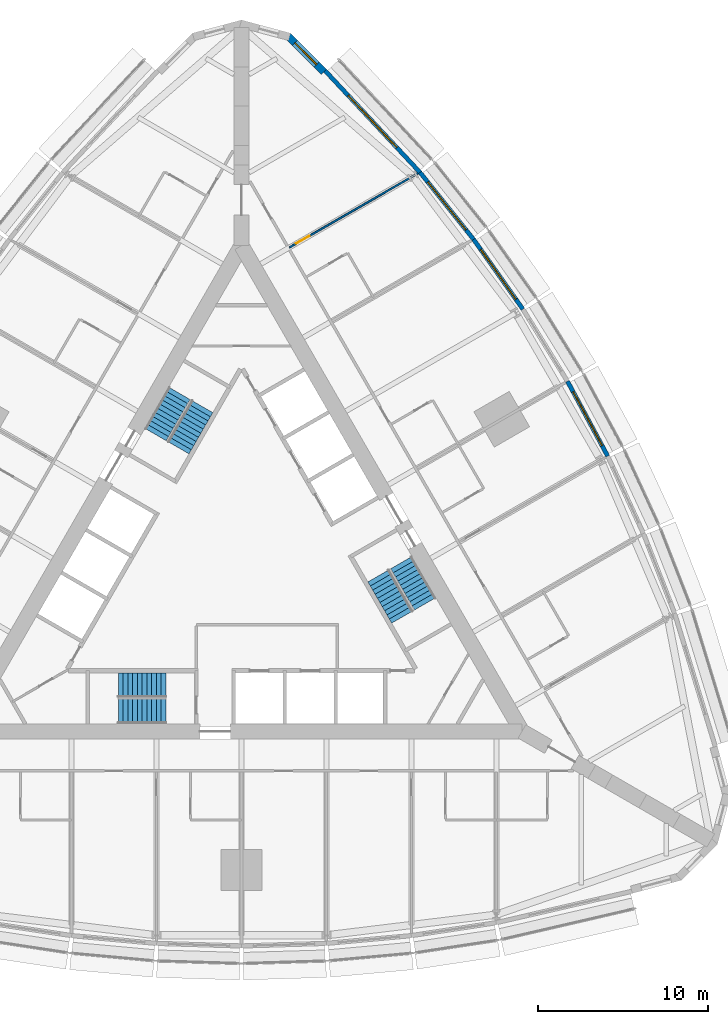
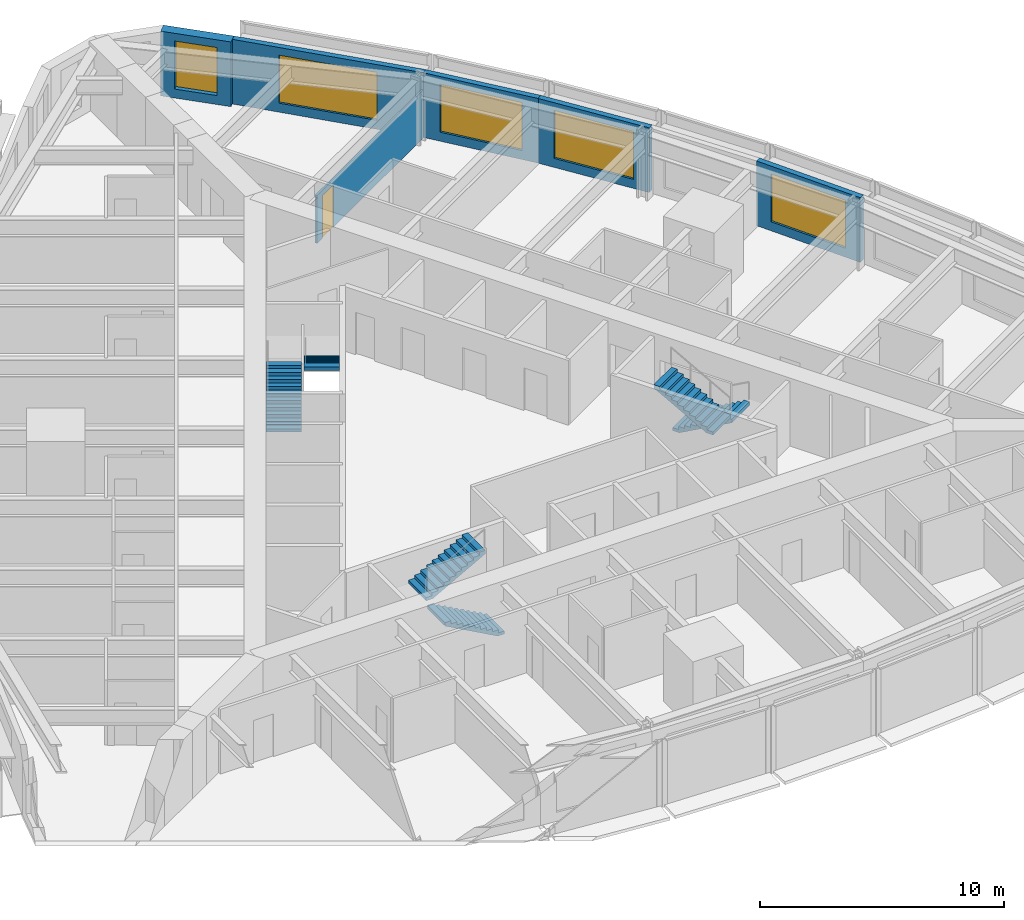
# One storey, part 13 of 14: 6 stair flights, 6 walls, 5 windows, 1 door, 6 openings, 3 elements without a shape of their own.
"""IFC4 building model written with IfcOpenShell, lengths in metres."""

from ifc_helpers import new_model, si_unit, direction, frame, frame_2d, origin, place, context, subcontext, project, spatial, polyline, rectangle, outline, extrude, material, layer, layer_set, type_object, element, fill, aggregate, save


model = new_model("IFC4")

# Units and contexts
model_context = context("Model", 3, precision=1e-05, world=origin(), true_north=direction((0.0, 1.0)))
body_context = subcontext(model_context, "Body", "Model", "MODEL_VIEW")
ifc_project = project(units=[si_unit("LENGTHUNIT", "METRE"), si_unit("AREAUNIT", "SQUARE_METRE"), si_unit("VOLUMEUNIT", "CUBIC_METRE"), si_unit("PLANEANGLEUNIT", "RADIAN"), si_unit("MASSUNIT", "GRAM", prefix="KILO")], contexts=[model_context])

# Site, building, storey
site_placement = place(None, origin())
site = spatial("IfcSite", under=ifc_project, at=site_placement, CompositionType="ELEMENT")
building_placement = place(site_placement, origin())
building = spatial("IfcBuilding", under=site, at=building_placement, Name="Trikona Tower", CompositionType="ELEMENT")
storey_placement = place(building_placement, frame((0.0, 0.0, 96.5)))
storey = spatial("IfcBuildingStorey", under=building, at=storey_placement, Name="L25", CompositionType="ELEMENT", Elevation=96.5)

# Wall, opening, window
ifc_material_1 = material(Name="Brick-faced precast concrete", Category="masonry")
ifc_layer_1 = layer(ifc_material_1, 0.449951171875)
ifc_layer_set_1 = layer_set([ifc_layer_1], Name="Brick-faced corner wall 450")
wall_type_1 = type_object("IfcWallType", Name="Brick-faced corner wall 450", PredefinedType="SOLIDWALL", material=ifc_layer_set_1)
wall_1_placement = place(storey_placement, frame((4.8408203125, 29.285888671875, 0.0), z_axis=(0.0, 0.0, 1.0), x_axis=(-0.707106781187, 0.707106781187, 0.0)))
wall_1 = element("IfcWall", 1, at=wall_1_placement, inside=storey, type_object=wall_type_1, Name="External wall L25-20", PredefinedType="SOLIDWALL", context=body_context, shape_type="SweptSolid", body=[
    extrude(rectangle(XDim=2.98828125, YDim=0.449951171875, at=frame_2d((1.494140625, 0.0))), origin(), (0.0, 0.0, 1.0), 3.235107421875),
])
opening_1_placement = place(wall_1_placement, frame((0.59423828125, 0.0, 0.449951171875)))
opening_1 = element("IfcOpeningElement", 2, at=opening_1_placement, cuts=wall_1, Name="Opening W1824", PredefinedType="OPENING", context=body_context, shape_type="SweptSolid", body=[
    extrude(rectangle(XDim=1.800048828125, YDim=2.39990234375, at=frame_2d((0.89990234375, 1.199951171875))), frame((0.0, 0.23486328125, 0.0), z_axis=(0.0, -1.0, 0.0), x_axis=(1.0, 0.0, 0.0)), (0.0, 0.0, 1.0), 0.469970703125),
])
ifc_material_2 = material(Name="Aluminium-framed double glazing", Category="aluminium")
window_type_1 = type_object("IfcWindowType", Name="Window 1800x2400", PartitioningType="SINGLE_PANEL", PredefinedType="WINDOW", material=ifc_material_2)
window_1_placement = place(opening_1_placement, origin())
window_1 = element("IfcWindow", 3, at=window_1_placement, inside=storey, type_object=window_type_1, Name="Window 2508", OverallHeight=2.39990234375, OverallWidth=1.800048828125, PartitioningType="SINGLE_PANEL", PredefinedType="WINDOW", context=body_context, shape_type="SweptSolid", body=[
    extrude(rectangle(XDim=1.800048828125, YDim=2.39990234375, at=frame_2d((0.89990234375, 1.199951171875))), frame((0.0, 0.030029296875, 0.0), z_axis=(0.0, -1.0, 0.0), x_axis=(1.0, 0.0, 0.0)), (0.0, 0.0, 1.0), 0.06005859375),
])
fill(opening_1, window_1)

ifc_material_3 = material(Name="Insulated precast concrete spandrel panel", Category="concrete")
ifc_layer_2 = layer(ifc_material_3, 0.25)
ifc_layer_set_2 = layer_set([ifc_layer_2], Name="Inner skin wall 250")
wall_type_2 = type_object("IfcWallType", Name="Inner skin wall 250", PredefinedType="STANDARD", material=ifc_layer_set_2)
wall_2_placement = place(storey_placement, frame((21.546630859375, 6.6708984375, 0.0), z_axis=(0.0, 0.0, 1.0), x_axis=(-0.473412820489, 0.880840678782, 0.0)))
wall_2 = element("IfcWall", 4, at=wall_2_placement, inside=storey, type_object=wall_type_2, Name="External wall L25-15", PredefinedType="STANDARD", context=body_context, shape_type="SweptSolid", body=[
    extrude(rectangle(XDim=5.00244140625, YDim=0.25, at=frame_2d((2.501220703125, 0.0))), origin(), (0.0, 0.0, 1.0), 3.235107421875),
])
opening_2_placement = place(wall_2_placement, frame((0.701171875, 0.0, 0.449951171875)))
opening_2 = element("IfcOpeningElement", 5, at=opening_2_placement, cuts=wall_2, Name="Opening W3624", PredefinedType="OPENING", context=body_context, shape_type="SweptSolid", body=[
    extrude(rectangle(XDim=3.60009765625, YDim=2.39990234375, at=frame_2d((1.800048828125, 1.199951171875))), frame((0.0, 0.135009765625, 0.0), z_axis=(0.0, -1.0, 0.0), x_axis=(1.0, 0.0, 0.0)), (0.0, 0.0, 1.0), 0.27001953125),
])
ifc_material_4 = material(Name="Aluminium-framed double glazing", Category="aluminium")
window_type_2 = type_object("IfcWindowType", Name="Window 3600x2400", PartitioningType="SINGLE_PANEL", PredefinedType="WINDOW", material=ifc_material_4)
window_2_placement = place(opening_2_placement, origin())
window_2 = element("IfcWindow", 6, at=window_2_placement, inside=storey, type_object=window_type_2, Name="Window 2506.1", OverallHeight=2.39990234375, OverallWidth=3.60009765625, PartitioningType="SINGLE_PANEL", PredefinedType="WINDOW", context=body_context, shape_type="SweptSolid", body=[
    extrude(rectangle(XDim=3.60009765625, YDim=2.39990234375, at=frame_2d((1.800048828125, 1.199951171875))), frame((0.0, 0.030029296875, 0.0), z_axis=(0.0, -1.0, 0.0), x_axis=(1.0, 0.0, 0.0)), (0.0, 0.0, 1.0), 0.06005859375),
])
fill(opening_2, window_2)

wall_3_placement = place(storey_placement, frame((16.5546875, 15.318115234375, 0.0), z_axis=(0.0, 0.0, 1.0), x_axis=(-0.5766431066, 0.81699616132, 0.0)))
wall_3 = element("IfcWall", 7, at=wall_3_placement, inside=storey, type_object=wall_type_2, Name="External wall L25-17", PredefinedType="STANDARD", context=body_context, shape_type="SweptSolid", body=[
    extrude(rectangle(XDim=5.02099609375, YDim=0.25, at=frame_2d((2.510498046875, 0.0))), origin(), (0.0, 0.0, 1.0), 3.235107421875),
])
opening_3_placement = place(wall_3_placement, frame((0.71044921875, 0.0, 0.449951171875)))
opening_3 = element("IfcOpeningElement", 8, at=opening_3_placement, cuts=wall_3, Name="Opening W3624", PredefinedType="OPENING", context=body_context, shape_type="SweptSolid", body=[
    extrude(rectangle(XDim=3.60009765625, YDim=2.39990234375, at=frame_2d((1.800048828125, 1.199951171875))), frame((0.0, 0.135009765625, 0.0), z_axis=(0.0, -1.0, 0.0), x_axis=(1.0, 0.0, 0.0)), (0.0, 0.0, 1.0), 0.27001953125),
])
window_3_placement = place(opening_3_placement, origin())
window_3 = element("IfcWindow", 9, at=window_3_placement, inside=storey, type_object=window_type_2, Name="Window 2507", OverallHeight=2.39990234375, OverallWidth=3.60009765625, PartitioningType="SINGLE_PANEL", PredefinedType="WINDOW", context=body_context, shape_type="SweptSolid", body=[
    extrude(rectangle(XDim=3.60009765625, YDim=2.39990234375, at=frame_2d((1.800048828125, 1.199951171875))), frame((0.0, 0.030029296875, 0.0), z_axis=(0.0, -1.0, 0.0), x_axis=(1.0, 0.0, 0.0)), (0.0, 0.0, 1.0), 0.06005859375),
])
fill(opening_3, window_3)

wall_4_placement = place(storey_placement, frame((13.663818359375, 19.4140625, 0.0), z_axis=(0.0, 0.0, 1.0), x_axis=(-0.624594965756, 0.780948864364, 0.0)))
wall_4 = element("IfcWall", 10, at=wall_4_placement, inside=storey, type_object=wall_type_2, Name="External wall L25-18", PredefinedType="STANDARD", context=body_context, shape_type="SweptSolid", body=[
    extrude(rectangle(XDim=5.0576171875, YDim=0.25, at=frame_2d((2.52880859375, 0.0))), origin(), (0.0, 0.0, 1.0), 3.235107421875),
])
opening_4_placement = place(wall_4_placement, frame((0.728759765625, 0.0, 0.449951171875)))
opening_4 = element("IfcOpeningElement", 11, at=opening_4_placement, cuts=wall_4, Name="Opening W3624", PredefinedType="OPENING", context=body_context, shape_type="SweptSolid", body=[
    extrude(rectangle(XDim=3.60009765625, YDim=2.39990234375, at=frame_2d((1.800048828125, 1.199951171875))), frame((0.0, 0.135009765625, 0.0), z_axis=(0.0, -1.0, 0.0), x_axis=(1.0, 0.0, 0.0)), (0.0, 0.0, 1.0), 0.27001953125),
])
window_4_placement = place(opening_4_placement, origin())
window_4 = element("IfcWindow", 12, at=window_4_placement, inside=storey, type_object=window_type_2, Name="Window 2508.1", OverallHeight=2.39990234375, OverallWidth=3.60009765625, PartitioningType="SINGLE_PANEL", PredefinedType="WINDOW", context=body_context, shape_type="SweptSolid", body=[
    extrude(rectangle(XDim=3.60009765625, YDim=2.39990234375, at=frame_2d((1.800048828125, 1.199951171875))), frame((0.0, 0.030029296875, 0.0), z_axis=(0.0, -1.0, 0.0), x_axis=(1.0, 0.0, 0.0)), (0.0, 0.0, 1.0), 0.06005859375),
])
fill(opening_4, window_4)

wall_5_placement = place(storey_placement, frame((10.510986328125, 23.356689453125, 0.0), z_axis=(0.0, 0.0, 1.0), x_axis=(-0.682289646561, 0.731081964075, 0.0)))
wall_5 = element("IfcWall", 13, at=wall_5_placement, inside=storey, type_object=wall_type_2, Name="External wall L25-19", PredefinedType="STANDARD", context=body_context, shape_type="SweptSolid", body=[
    extrude(rectangle(XDim=8.2109375, YDim=0.25, at=frame_2d((4.10546875, 0.0))), origin(), (0.0, 0.0, 1.0), 3.235107421875),
])
opening_5_placement = place(wall_5_placement, frame((2.005615234375, 0.0, 0.449951171875)))
opening_5 = element("IfcOpeningElement", 14, at=opening_5_placement, cuts=wall_5, Name="Opening W4224", PredefinedType="OPENING", context=body_context, shape_type="SweptSolid", body=[
    extrude(rectangle(XDim=4.199951171875, YDim=2.39990234375, at=frame_2d((2.10009765625, 1.199951171875))), frame((0.0, 0.135009765625, 0.0), z_axis=(0.0, -1.0, 0.0), x_axis=(1.0, 0.0, 0.0)), (0.0, 0.0, 1.0), 0.27001953125),
])
ifc_material_5 = material(Name="Aluminium-framed double glazing", Category="aluminium")
window_type_3 = type_object("IfcWindowType", Name="Window 4200x2400", PartitioningType="SINGLE_PANEL", PredefinedType="WINDOW", material=ifc_material_5)
window_5_placement = place(opening_5_placement, origin())
window_5 = element("IfcWindow", 15, at=window_5_placement, inside=storey, type_object=window_type_3, Name="Window 2508", OverallHeight=2.39990234375, OverallWidth=4.199951171875, PartitioningType="SINGLE_PANEL", PredefinedType="WINDOW", context=body_context, shape_type="SweptSolid", body=[
    extrude(rectangle(XDim=4.199951171875, YDim=2.39990234375, at=frame_2d((2.10009765625, 1.199951171875))), frame((0.0, 0.030029296875, 0.0), z_axis=(0.0, -1.0, 0.0), x_axis=(1.0, 0.0, 0.0)), (0.0, 0.0, 1.0), 0.06005859375),
])
fill(opening_5, window_5)

# Wall, opening, door
ifc_material_6 = material(Name="Metal stud and gypsum board, acoustic", Category="gypsum")
ifc_layer_3 = layer(ifc_material_6, 0.10009765625)
ifc_layer_set_3 = layer_set([ifc_layer_3], Name="Suite partition 100")
wall_type_3 = type_object("IfcWallType", Name="Suite partition 100", PredefinedType="PARTITIONING", material=ifc_layer_set_3)
wall_6_placement = place(storey_placement, frame((2.82861328125, 18.95361328125, 0.0), z_axis=(0.0, 0.0, 1.0), x_axis=(0.866020536561, 0.500008430184, 0.0)))
wall_6 = element("IfcWall", 16, at=wall_6_placement, inside=storey, type_object=wall_type_3, Name="Suite partition L25 F2 u15", PredefinedType="PARTITIONING", context=body_context, shape_type="SweptSolid", body=[
    extrude(rectangle(XDim=8.719970703125, YDim=0.10009765625, at=frame_2d((4.35986328125, 0.0))), origin(), (0.0, 0.0, 1.0), 2.38916015625),
])
opening_6_placement = place(wall_6_placement, frame((0.449951171875, 0.0, 0.0)))
opening_6 = element("IfcOpeningElement", 17, at=opening_6_placement, cuts=wall_6, Name="Opening D13", PredefinedType="OPENING", context=body_context, shape_type="SweptSolid", body=[
    extrude(rectangle(XDim=0.89990234375, YDim=2.1298828125, at=frame_2d((0.449951171875, 1.06494140625))), frame((0.0, 0.06005859375, 0.0), z_axis=(0.0, -1.0, 0.0), x_axis=(1.0, 0.0, 0.0)), (0.0, 0.0, 1.0), 0.1201171875),
])
ifc_material_7 = material(Name="Steel door frame with solid-core timber leaf", Category="steel")
door_type = type_object("IfcDoorType", Name="Suite door 900x2130", OperationType="SINGLE_SWING_LEFT", PredefinedType="DOOR", material=ifc_material_7)
door_placement = place(opening_6_placement, origin())
door = element("IfcDoor", 18, at=door_placement, inside=storey, type_object=door_type, Name="Suite door 2508", OperationType="SINGLE_SWING_LEFT", OverallHeight=2.1298828125, OverallWidth=0.89990234375, PredefinedType="DOOR", context=body_context, shape_type="SweptSolid", body=[
    extrude(rectangle(XDim=0.89990234375, YDim=2.1298828125, at=frame_2d((0.449951171875, 1.06494140625))), frame((0.0, 0.02490234375, 0.0), z_axis=(0.0, -1.0, 0.0), x_axis=(1.0, 0.0, 0.0)), (0.0, 0.0, 1.0), 0.050048828125),
])
fill(opening_6, door)

# Stair, stair flights
ifc_material_8 = material(Name="Concrete f'c 5000 psi", Category="concrete")
stair_type = type_object("IfcStairType", Name="Core stair", PredefinedType="HALF_TURN_STAIR", material=ifc_material_8)
stair_1_placement = place(storey_placement, origin())
stair_1 = element("IfcStair", 19, at=stair_1_placement, inside=storey, type_object=stair_type, Name="Stair A L25", PredefinedType="HALF_TURN_STAIR")
ifc_material_9 = material(Name="Concrete f'c 5000 psi", Category="concrete")
stair_flight_type = type_object("IfcStairFlightType", Name="Core stair flight 1450", PredefinedType="STRAIGHT", material=ifc_material_9)
stair_flight_1_placement = place(storey_placement, frame((-4.449951171875, -8.351318359375, 0.0), z_axis=(0.0, 0.0, 1.0), x_axis=(-1.0, 0.0, 0.0)))
stair_flight_1 = element("IfcStairFlight", 20, at=stair_flight_1_placement, type_object=stair_flight_type, Name="ST-A flight 1", NumberOfRisers=11, NumberOfTreads=10, PredefinedType="STRAIGHT", RiserHeight=0.154545, TreadLength=0.28, context=body_context, shape_type="SweptSolid", body=[
    extrude(outline(polyline([(0.0, 0.0), (0.0, 0.154541015625), (0.280029296875, 0.154541015625), (0.280029296875, 0.30908203125), (0.56005859375, 0.30908203125), (0.56005859375, 0.463623046875), (0.840087890625, 0.463623046875), (0.840087890625, 0.6181640625), (1.1201171875, 0.6181640625), (1.1201171875, 0.772705078125), (1.39990234375, 0.772705078125), (1.39990234375, 0.92724609375), (1.679931640625, 0.92724609375), (1.679931640625, 1.081787109375), (1.9599609375, 1.081787109375), (1.9599609375, 1.236328125), (2.239990234375, 1.236328125), (2.239990234375, 1.390869140625), (2.52001953125, 1.390869140625), (2.52001953125, 1.54541015625), (2.800048828125, 1.54541015625), (2.800048828125, 1.699951171875), (2.800048828125, 1.374267578125), (0.310302734375, 0.0), (0.0, 0.0)])), frame((0.0, 0.72509765625, 0.0), z_axis=(0.0, -1.0, 0.0), x_axis=(1.0, 0.0, 0.0)), (0.0, 0.0, 1.0), 1.449951171875),
])
stair_flight_2_placement = place(storey_placement, frame((-7.25, -6.80126953125, 1.699951171875), z_axis=(0.0, 0.0, 1.0), x_axis=(1.0, 0.0, 0.0)))
stair_flight_2 = element("IfcStairFlight", 21, at=stair_flight_2_placement, type_object=stair_flight_type, Name="ST-A flight 2", NumberOfRisers=11, NumberOfTreads=10, PredefinedType="STRAIGHT", RiserHeight=0.154545, TreadLength=0.28, context=body_context, shape_type="SweptSolid", body=[
    extrude(outline(polyline([(0.0, 0.0), (0.0, 0.154541015625), (0.280029296875, 0.154541015625), (0.280029296875, 0.30908203125), (0.56005859375, 0.30908203125), (0.56005859375, 0.463623046875), (0.840087890625, 0.463623046875), (0.840087890625, 0.6181640625), (1.1201171875, 0.6181640625), (1.1201171875, 0.772705078125), (1.39990234375, 0.772705078125), (1.39990234375, 0.92724609375), (1.679931640625, 0.92724609375), (1.679931640625, 1.081787109375), (1.9599609375, 1.081787109375), (1.9599609375, 1.236328125), (2.239990234375, 1.236328125), (2.239990234375, 1.390869140625), (2.52001953125, 1.390869140625), (2.52001953125, 1.54541015625), (2.800048828125, 1.54541015625), (2.800048828125, 1.699951171875), (2.800048828125, 1.374267578125), (0.310302734375, 0.0), (0.0, 0.0)])), frame((0.0, 0.72509765625, 0.0), z_axis=(0.0, -1.0, 0.0), x_axis=(1.0, 0.0, 0.0)), (0.0, 0.0, 1.0), 1.449951171875),
])
aggregate(stair_1, [stair_flight_1, stair_flight_2])

stair_2_placement = place(storey_placement, origin())
stair_2 = element("IfcStair", 22, at=stair_2_placement, inside=storey, type_object=stair_type, Name="Stair B L25", PredefinedType="HALF_TURN_STAIR")
stair_flight_3_placement = place(storey_placement, frame((9.407470703125, 0.408447265625, 0.0), z_axis=(0.0, 0.0, 1.0), x_axis=(0.5, -0.866025403784, 0.0)))
stair_flight_3 = element("IfcStairFlight", 23, at=stair_flight_3_placement, type_object=stair_flight_type, Name="ST-B flight 1", NumberOfRisers=11, NumberOfTreads=10, PredefinedType="STRAIGHT", RiserHeight=0.154545, TreadLength=0.28, context=body_context, shape_type="SweptSolid", body=[
    extrude(outline(polyline([(0.0, 0.0), (0.0, 0.154541015625), (0.280029296875, 0.154541015625), (0.280029296875, 0.30908203125), (0.56005859375, 0.30908203125), (0.56005859375, 0.463623046875), (0.840087890625, 0.463623046875), (0.840087890625, 0.6181640625), (1.1201171875, 0.6181640625), (1.1201171875, 0.772705078125), (1.39990234375, 0.772705078125), (1.39990234375, 0.92724609375), (1.679931640625, 0.92724609375), (1.679931640625, 1.081787109375), (1.9599609375, 1.081787109375), (1.9599609375, 1.236328125), (2.239990234375, 1.236328125), (2.239990234375, 1.390869140625), (2.52001953125, 1.390869140625), (2.52001953125, 1.54541015625), (2.800048828125, 1.54541015625), (2.800048828125, 1.699951171875), (2.800048828125, 1.374267578125), (0.310302734375, 0.0), (0.0, 0.0)])), frame((0.0, 0.72509765625, 0.0), z_axis=(0.0, -1.0, 0.0), x_axis=(1.0, 0.0, 0.0)), (0.0, 0.0, 1.0), 1.449951171875),
])
stair_flight_4_placement = place(storey_placement, frame((9.465087890625, -2.79150390625, 1.699951171875), z_axis=(0.0, 0.0, 1.0), x_axis=(-0.5, 0.866025403784, 0.0)))
stair_flight_4 = element("IfcStairFlight", 24, at=stair_flight_4_placement, type_object=stair_flight_type, Name="ST-B flight 2", NumberOfRisers=11, NumberOfTreads=10, PredefinedType="STRAIGHT", RiserHeight=0.154545, TreadLength=0.28, context=body_context, shape_type="SweptSolid", body=[
    extrude(outline(polyline([(0.0, 0.0), (0.0, 0.154541015625), (0.280029296875, 0.154541015625), (0.280029296875, 0.30908203125), (0.56005859375, 0.30908203125), (0.56005859375, 0.463623046875), (0.840087890625, 0.463623046875), (0.840087890625, 0.6181640625), (1.1201171875, 0.6181640625), (1.1201171875, 0.772705078125), (1.39990234375, 0.772705078125), (1.39990234375, 0.92724609375), (1.679931640625, 0.92724609375), (1.679931640625, 1.081787109375), (1.9599609375, 1.081787109375), (1.9599609375, 1.236328125), (2.239990234375, 1.236328125), (2.239990234375, 1.390869140625), (2.52001953125, 1.390869140625), (2.52001953125, 1.54541015625), (2.800048828125, 1.54541015625), (2.800048828125, 1.699951171875), (2.800048828125, 1.374267578125), (0.310302734375, 0.0), (0.0, 0.0)])), frame((0.0, 0.72509765625, 0.0), z_axis=(0.0, -1.0, 0.0), x_axis=(1.0, 0.0, 0.0)), (0.0, 0.0, 1.0), 1.449951171875),
])
aggregate(stair_2, [stair_flight_3, stair_flight_4])

stair_3_placement = place(storey_placement, origin())
stair_3 = element("IfcStair", 25, at=stair_3_placement, inside=storey, type_object=stair_type, Name="Stair C L25", PredefinedType="HALF_TURN_STAIR")
stair_flight_5_placement = place(storey_placement, frame((-5.057373046875, 7.94287109375, 0.0), z_axis=(0.0, 0.0, 1.0), x_axis=(0.5, 0.866025403784, 0.0)))
stair_flight_5 = element("IfcStairFlight", 26, at=stair_flight_5_placement, type_object=stair_flight_type, Name="ST-C flight 1", NumberOfRisers=11, NumberOfTreads=10, PredefinedType="STRAIGHT", RiserHeight=0.154545, TreadLength=0.28, context=body_context, shape_type="SweptSolid", body=[
    extrude(outline(polyline([(0.0, 0.0), (0.0, 0.154541015625), (0.280029296875, 0.154541015625), (0.280029296875, 0.30908203125), (0.56005859375, 0.30908203125), (0.56005859375, 0.463623046875), (0.840087890625, 0.463623046875), (0.840087890625, 0.6181640625), (1.1201171875, 0.6181640625), (1.1201171875, 0.772705078125), (1.39990234375, 0.772705078125), (1.39990234375, 0.92724609375), (1.679931640625, 0.92724609375), (1.679931640625, 1.081787109375), (1.9599609375, 1.081787109375), (1.9599609375, 1.236328125), (2.239990234375, 1.236328125), (2.239990234375, 1.390869140625), (2.52001953125, 1.390869140625), (2.52001953125, 1.54541015625), (2.800048828125, 1.54541015625), (2.800048828125, 1.699951171875), (2.800048828125, 1.374267578125), (0.310302734375, 0.0), (0.0, 0.0)])), frame((0.0, 0.72509765625, 0.0), z_axis=(0.0, -1.0, 0.0), x_axis=(1.0, 0.0, 0.0)), (0.0, 0.0, 1.0), 1.449951171875),
])
stair_flight_6_placement = place(storey_placement, frame((-2.315185546875, 9.5927734375, 1.699951171875), z_axis=(0.0, 0.0, 1.0), x_axis=(-0.5, -0.866025403784, 0.0)))
stair_flight_6 = element("IfcStairFlight", 27, at=stair_flight_6_placement, type_object=stair_flight_type, Name="ST-C flight 2", NumberOfRisers=11, NumberOfTreads=10, PredefinedType="STRAIGHT", RiserHeight=0.154545, TreadLength=0.28, context=body_context, shape_type="SweptSolid", body=[
    extrude(outline(polyline([(0.0, 0.0), (0.0, 0.154541015625), (0.280029296875, 0.154541015625), (0.280029296875, 0.30908203125), (0.56005859375, 0.30908203125), (0.56005859375, 0.463623046875), (0.840087890625, 0.463623046875), (0.840087890625, 0.6181640625), (1.1201171875, 0.6181640625), (1.1201171875, 0.772705078125), (1.39990234375, 0.772705078125), (1.39990234375, 0.92724609375), (1.679931640625, 0.92724609375), (1.679931640625, 1.081787109375), (1.9599609375, 1.081787109375), (1.9599609375, 1.236328125), (2.239990234375, 1.236328125), (2.239990234375, 1.390869140625), (2.52001953125, 1.390869140625), (2.52001953125, 1.54541015625), (2.800048828125, 1.54541015625), (2.800048828125, 1.699951171875), (2.800048828125, 1.374267578125), (0.310302734375, 0.0), (0.0, 0.0)])), frame((0.0, 0.72509765625, 0.0), z_axis=(0.0, -1.0, 0.0), x_axis=(1.0, 0.0, 0.0)), (0.0, 0.0, 1.0), 1.449951171875),
])
aggregate(stair_3, [stair_flight_5, stair_flight_6])

save(model, "model.ifc")
